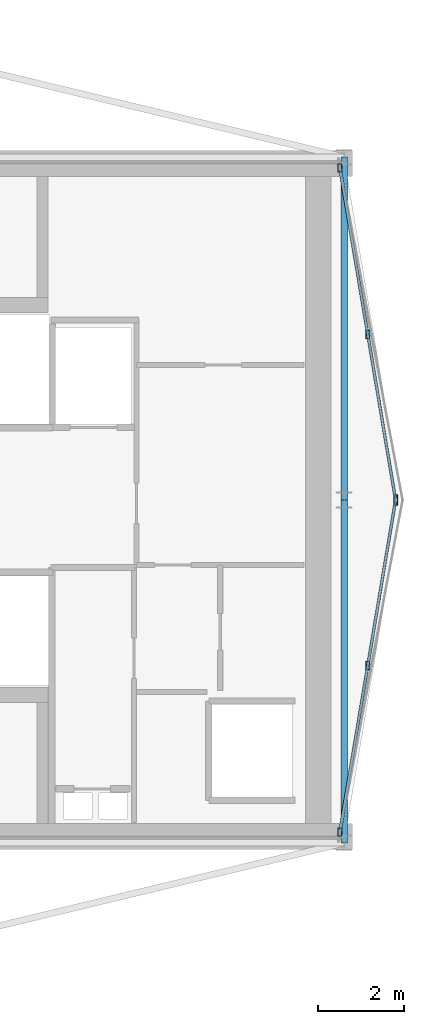
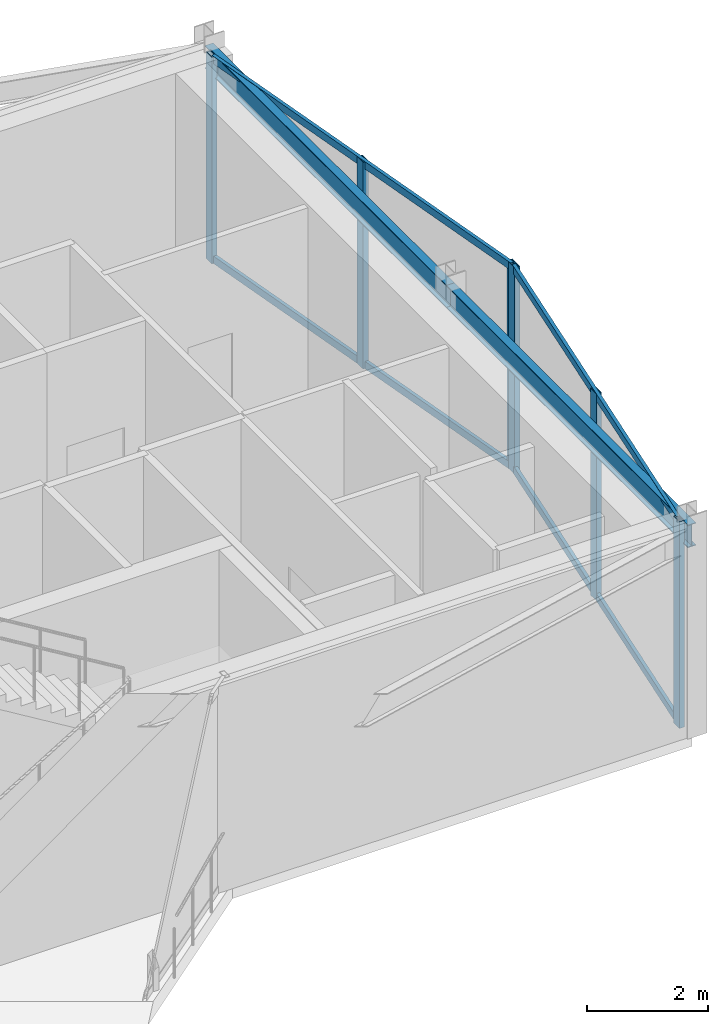
# One storey, part 6 of 14: 10 members, 2 beams, 2 elements without a shape of their own.
"""IFC4 building model written with IfcOpenShell, lengths in metres."""

from ifc_helpers import new_model, si_unit, direction, frame, origin, origin_2d, place, context, subcontext, project, spatial, hollow_rectangle, i_section, extrude, material, layer, layer_set, material_profile, profile_set, type_object, element, aggregate, save


model = new_model("IFC4")

# Units and contexts
model_context = context("Model", 3, precision=1e-05, world=origin(), true_north=direction((0.0, 1.0)))
body_context = subcontext(model_context, "Body", "Model", "MODEL_VIEW")
ifc_project = project(units=[si_unit("LENGTHUNIT", "METRE"), si_unit("AREAUNIT", "SQUARE_METRE"), si_unit("VOLUMEUNIT", "CUBIC_METRE"), si_unit("PLANEANGLEUNIT", "RADIAN"), si_unit("MASSUNIT", "GRAM", prefix="KILO")], contexts=[model_context])

# Site, building, storey
site_placement = place(None, origin())
site = spatial("IfcSite", under=ifc_project, at=site_placement, CompositionType="ELEMENT")
building_placement = place(site_placement, origin())
building = spatial("IfcBuilding", under=site, at=building_placement, Name="Veymaron Broadcast Tower", CompositionType="ELEMENT")
storey_placement = place(building_placement, frame((0.0, 0.0, 332.39990234375)))
storey = spatial("IfcBuildingStorey", under=building, at=storey_placement, Name="L78", CompositionType="ELEMENT", Elevation=332.39990234375)

# Beams
ifc_material_1 = material(Name="Structural steel ASTM A992 Gr 50", Category="steel")
ifc_material_profile_1 = material_profile(ifc_material_1, i_section(OverallWidth=0.154052734375, OverallDepth=0.458984375, WebThickness=0.009033203125, FlangeThickness=0.015380859375, at=origin_2d()), Name="W460X68")
ifc_profile_set_1 = profile_set([ifc_material_profile_1], Name="Structural steel ASTM A992 Gr 50")
beam_type = type_object("IfcBeamType", Name="BM-SP2", PredefinedType="SPANDREL", material=ifc_profile_set_1)
for number, where, z_axis, x_axis, name in (
    (1, (54.60009765625, 16.0, 3.95068359375), (0.0, 1.0, 0.0), (-1.0, 0.0, 0.0), "L78 primary structural floor girder"),
    (2, (54.60009765625, 24.0, 3.95068359375), (0.0, 1.0, 0.0), (-1.0, 0.0, 0.0), "L78 primary structural floor girder"),
):
    element("IfcBeam", number, at=place(storey_placement, frame(where, z_axis=z_axis, x_axis=x_axis)), inside=storey, type_object=beam_type, Name=name, PredefinedType="SPANDREL", context=body_context, shape_type="SweptSolid", body=[
        extrude(i_section(OverallWidth=0.154052734375, OverallDepth=0.458984375, WebThickness=0.009033203125, FlangeThickness=0.015380859375, at=origin_2d()), origin(), (0.0, 0.0, 1.0), 8.0),
    ])

# Curtain wall, members
ifc_material_2 = material(Name="Anodised aluminium AA 6063-T6 and laminated low-E dark glass", Category="aluminium")
ifc_layer = layer(ifc_material_2, 0.179931640625)
ifc_layer_set = layer_set([ifc_layer], Name="Anodised aluminium AA 6063-T6 and laminated low-E dark glass")
curtain_wall_type = type_object("IfcCurtainWallType", Name="CW-SYS-07", PredefinedType="NOTDEFINED", material=ifc_layer_set)
curtain_wall_1_placement = place(storey_placement, origin())
curtain_wall_1 = element("IfcCurtainWall", 3, at=curtain_wall_1_placement, inside=storey, type_object=curtain_wall_type, Name="L78 dark-glass curtain wall CW-L78-E2-1", PredefinedType="NOTDEFINED")
ifc_material_3 = material(Name="Anodised aluminium AA 6063-T6", Category="aluminium")
ifc_material_profile_2 = material_profile(ifc_material_3, hollow_rectangle(XDim=0.10009765625, YDim=0.199951171875, WallThickness=0.010009765625, at=origin_2d()), Name="RHS200X100X10")
ifc_profile_set_2 = profile_set([ifc_material_profile_2], Name="Anodised aluminium AA 6063-T6")
member_type_1 = type_object("IfcMemberType", Name="CW-MUL-01", PredefinedType="MULLION", material=ifc_profile_set_2)
member_1_placement = place(storey_placement, frame((54.5, 16.25048828125, 0.0), z_axis=(0.0, 0.0, 1.0), x_axis=(1.0, 0.0, 0.0)))
member_1 = element("IfcMember", 4, at=member_1_placement, type_object=member_type_1, Name="CW-L78-E2-1 mullion 0", PredefinedType="MULLION", context=body_context, shape_type="SweptSolid", body=[
    extrude(hollow_rectangle(XDim=0.10009765625, YDim=0.199951171875, WallThickness=0.010009765625, at=origin_2d()), origin(), (0.0, 0.0, 1.0), 4.18017578125),
])
member_2_placement = place(storey_placement, frame((55.153076171875, 20.13671875, 0.0), z_axis=(0.0, 0.0, 1.0), x_axis=(1.0, 0.0, 0.0)))
member_2 = element("IfcMember", 5, at=member_2_placement, type_object=member_type_1, Name="CW-L78-E2-1 mullion 1", PredefinedType="MULLION", context=body_context, shape_type="SweptSolid", body=[
    extrude(hollow_rectangle(XDim=0.10009765625, YDim=0.199951171875, WallThickness=0.010009765625, at=origin_2d()), origin(), (0.0, 0.0, 1.0), 4.18017578125),
])
member_3_placement = place(storey_placement, frame((55.805908203125, 24.023193359375, 0.0), z_axis=(0.0, 0.0, 1.0), x_axis=(1.0, 0.0, 0.0)))
member_3 = element("IfcMember", 6, at=member_3_placement, type_object=member_type_1, Name="CW-L78-E2-1 mullion 2", PredefinedType="MULLION", context=body_context, shape_type="SweptSolid", body=[
    extrude(hollow_rectangle(XDim=0.10009765625, YDim=0.199951171875, WallThickness=0.010009765625, at=origin_2d()), origin(), (0.0, 0.0, 1.0), 4.18017578125),
])

curtain_wall_2_placement = place(storey_placement, origin())
curtain_wall_2 = element("IfcCurtainWall", 7, at=curtain_wall_2_placement, inside=storey, type_object=curtain_wall_type, Name="L78 dark-glass curtain wall CW-L78-E3-1", PredefinedType="NOTDEFINED")
member_4_placement = place(storey_placement, frame((55.805908203125, 23.976806640625, 0.0), z_axis=(0.0, 0.0, 1.0), x_axis=(1.0, 0.0, 0.0)))
member_4 = element("IfcMember", 8, at=member_4_placement, type_object=member_type_1, Name="CW-L78-E3-1 mullion 0", PredefinedType="MULLION", context=body_context, shape_type="SweptSolid", body=[
    extrude(hollow_rectangle(XDim=0.10009765625, YDim=0.199951171875, WallThickness=0.010009765625, at=origin_2d()), origin(), (0.0, 0.0, 1.0), 4.18017578125),
])
member_5_placement = place(storey_placement, frame((55.153076171875, 27.86328125, 0.0), z_axis=(0.0, 0.0, 1.0), x_axis=(1.0, 0.0, 0.0)))
member_5 = element("IfcMember", 9, at=member_5_placement, type_object=member_type_1, Name="CW-L78-E3-1 mullion 1", PredefinedType="MULLION", context=body_context, shape_type="SweptSolid", body=[
    extrude(hollow_rectangle(XDim=0.10009765625, YDim=0.199951171875, WallThickness=0.010009765625, at=origin_2d()), origin(), (0.0, 0.0, 1.0), 4.18017578125),
])
member_6_placement = place(storey_placement, frame((54.5, 31.74951171875, 0.0), z_axis=(0.0, 0.0, 1.0), x_axis=(1.0, 0.0, 0.0)))
member_6 = element("IfcMember", 10, at=member_6_placement, type_object=member_type_1, Name="CW-L78-E3-1 mullion 2", PredefinedType="MULLION", context=body_context, shape_type="SweptSolid", body=[
    extrude(hollow_rectangle(XDim=0.10009765625, YDim=0.199951171875, WallThickness=0.010009765625, at=origin_2d()), origin(), (0.0, 0.0, 1.0), 4.18017578125),
])

# Member
ifc_material_profile_3 = material_profile(ifc_material_3, hollow_rectangle(XDim=0.06494140625, YDim=0.14990234375, WallThickness=0.00390625, at=origin_2d()), Name="AL150X65X4")
ifc_profile_set_3 = profile_set([ifc_material_profile_3], Name="Anodised aluminium AA 6063-T6")
member_type_2 = type_object("IfcMemberType", Name="CW-TRN-01", PredefinedType="USERDEFINED", material=ifc_profile_set_3)
member_7_placement = place(storey_placement, frame((54.50830078125, 16.2998046875, 0.070068359375), z_axis=(0.16568602877, 0.986178553747, 0.0), x_axis=(-0.986178553747, 0.16568602877, 0.0)))
member_7 = element("IfcMember", 11, at=member_7_placement, type_object=member_type_2, Name="CW-L78-E2-1 transom B", ObjectType="TRANSOM", PredefinedType="USERDEFINED", context=body_context, shape_type="SweptSolid", body=[
    extrude(hollow_rectangle(XDim=0.06494140625, YDim=0.14990234375, WallThickness=0.00390625, at=origin_2d()), origin(), (0.0, 0.0, 1.0), 7.78173828125),
])

member_8_placement = place(storey_placement, frame((54.50830078125, 16.2998046875, 4.110107421875), z_axis=(0.16568602877, 0.986178553747, 0.0), x_axis=(-0.986178553747, 0.16568602877, 0.0)))
member_8 = element("IfcMember", 12, at=member_8_placement, type_object=member_type_2, Name="CW-L78-E2-1 transom T", ObjectType="TRANSOM", PredefinedType="USERDEFINED", context=body_context, shape_type="SweptSolid", body=[
    extrude(hollow_rectangle(XDim=0.06494140625, YDim=0.14990234375, WallThickness=0.00390625, at=origin_2d()), origin(), (0.0, 0.0, 1.0), 7.78173828125),
])

aggregate(curtain_wall_1, [member_1, member_2, member_3, member_7, member_8])

member_9_placement = place(storey_placement, frame((55.797607421875, 24.026123046875, 0.070068359375), z_axis=(-0.16568602877, 0.986178553747, 0.0), x_axis=(-0.986178553747, -0.16568602877, 0.0)))
member_9 = element("IfcMember", 13, at=member_9_placement, type_object=member_type_2, Name="CW-L78-E3-1 transom B", ObjectType="TRANSOM", PredefinedType="USERDEFINED", context=body_context, shape_type="SweptSolid", body=[
    extrude(hollow_rectangle(XDim=0.06494140625, YDim=0.14990234375, WallThickness=0.00390625, at=origin_2d()), origin(), (0.0, 0.0, 1.0), 7.78173828125),
])

member_10_placement = place(storey_placement, frame((55.797607421875, 24.026123046875, 4.110107421875), z_axis=(-0.16568602877, 0.986178553747, 0.0), x_axis=(-0.986178553747, -0.16568602877, 0.0)))
member_10 = element("IfcMember", 14, at=member_10_placement, type_object=member_type_2, Name="CW-L78-E3-1 transom T", ObjectType="TRANSOM", PredefinedType="USERDEFINED", context=body_context, shape_type="SweptSolid", body=[
    extrude(hollow_rectangle(XDim=0.06494140625, YDim=0.14990234375, WallThickness=0.00390625, at=origin_2d()), origin(), (0.0, 0.0, 1.0), 7.78173828125),
])

aggregate(curtain_wall_2, [member_4, member_5, member_6, member_9, member_10])

save(model, "model.ifc")
